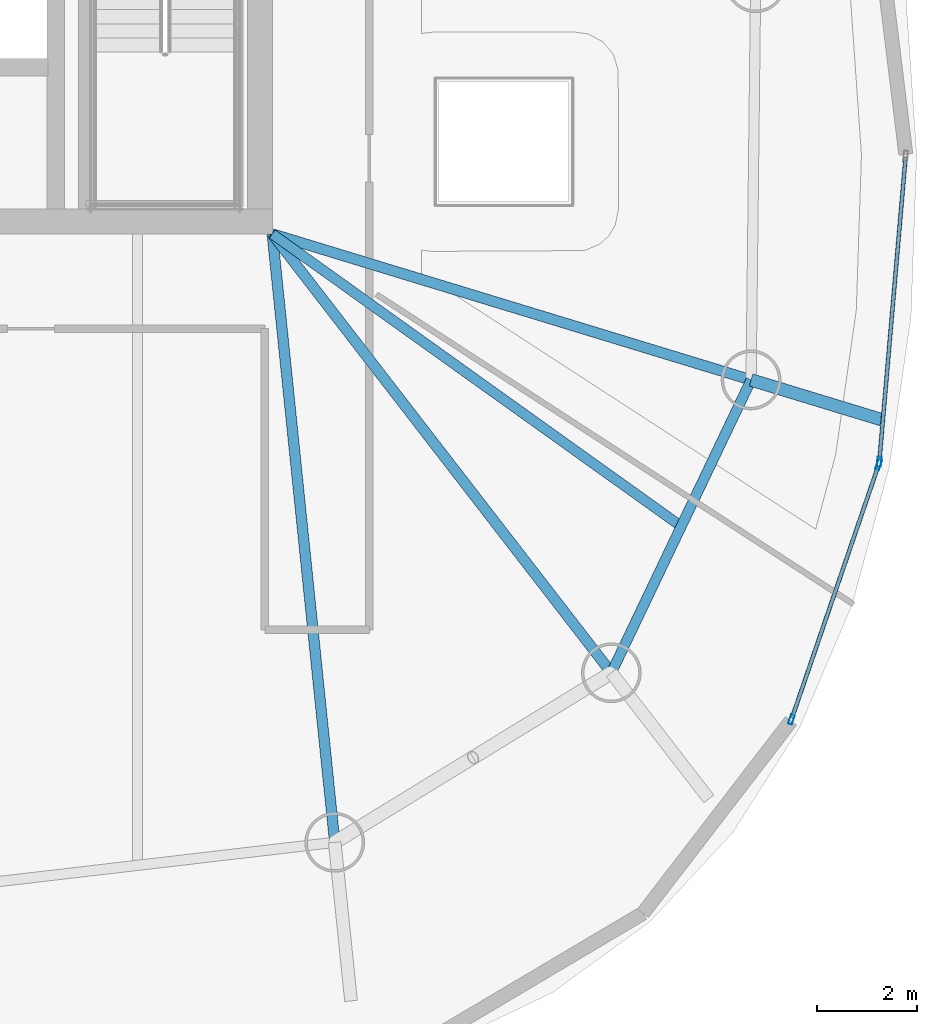
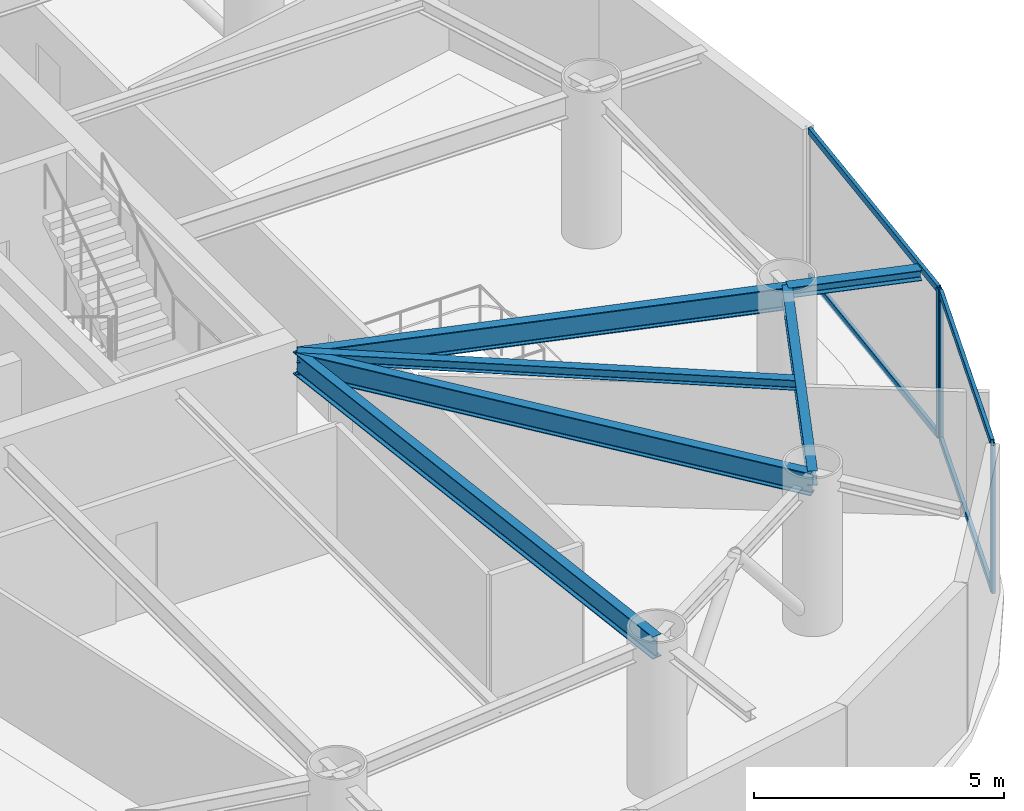
# One storey, part 8 of 22: 7 members, 6 beams, 2 elements without a shape of their own.
"""IFC4 building model written with IfcOpenShell, lengths in metres."""

from ifc_helpers import new_model, si_unit, direction, frame, origin, origin_2d, place, context, subcontext, project, spatial, hollow_rectangle, i_section, extrude, material, layer, layer_set, material_profile, profile_set, type_object, element, aggregate, save


model = new_model("IFC4")

# Units and contexts
model_context = context("Model", 3, precision=1e-05, world=origin(), true_north=direction((0.0, 1.0)))
body_context = subcontext(model_context, "Body", "Model", "MODEL_VIEW")
ifc_project = project(units=[si_unit("LENGTHUNIT", "METRE"), si_unit("AREAUNIT", "SQUARE_METRE"), si_unit("VOLUMEUNIT", "CUBIC_METRE"), si_unit("PLANEANGLEUNIT", "RADIAN"), si_unit("MASSUNIT", "GRAM", prefix="KILO")], contexts=[model_context])

# Site, building, storey
site_placement = place(None, origin())
site = spatial("IfcSite", under=ifc_project, at=site_placement, CompositionType="ELEMENT")
building_placement = place(site_placement, origin())
building = spatial("IfcBuilding", under=site, at=building_placement, Name="Bramvorn Convention Spire", CompositionType="ELEMENT")
storey_placement = place(building_placement, frame((0.0, 0.0, 225.10009765625)))
storey = spatial("IfcBuildingStorey", under=building, at=storey_placement, Name="L57", CompositionType="ELEMENT", Elevation=225.10009765625)

# Beams
ifc_material_1 = material(Name="Steel CSA G40.21 Grade 350 (350W)", Category="steel")
ifc_material_profile_1 = material_profile(ifc_material_1, i_section(OverallWidth=0.201904296875, OverallDepth=0.2470703125, WebThickness=0.00732421875, FlangeThickness=0.010986328125, FilletRadius=0.011962890625, at=origin_2d()))
ifc_profile_set_1 = profile_set([ifc_material_profile_1], Name="Steel CSA G40.21 Grade 350 (350W) - W250X49")
beam_type_1 = type_object("IfcBeamType", Name="BM-W250X49", PredefinedType="JOIST", material=ifc_profile_set_1)
beam_1_placement = place(storey_placement, frame((49.25, 18.550048828125, 3.496337890625), z_axis=(0.813471895271, -0.581604225916, 0.0), x_axis=(0.581604225916, 0.813471895271, 0.0)))
element("IfcBeam", 1, at=beam_1_placement, inside=storey, type_object=beam_type_1, Name="L57 composite floor joist 01", PredefinedType="JOIST", context=body_context, shape_type="SweptSolid", body=[
    extrude(i_section(OverallWidth=0.201904296875, OverallDepth=0.2470703125, WebThickness=0.00732421875, FlangeThickness=0.010986328125, FilletRadius=0.011962890625, at=origin_2d()), origin(), (0.0, 0.0, 1.0), 10.093505859375),
])
ifc_material_profile_2 = material_profile(ifc_material_1, i_section(OverallWidth=0.25390625, OverallDepth=0.2529296875, WebThickness=0.008544921875, FlangeThickness=0.01416015625, FilletRadius=0.011962890625, at=origin_2d()))
ifc_profile_set_2 = profile_set([ifc_material_profile_2], Name="Steel CSA G40.21 Grade 350 (350W) - W250X73")
beam_type_2 = type_object("IfcBeamType", Name="BM-W250X73", PredefinedType="BEAM", material=ifc_profile_set_2)
beam_2_placement = place(storey_placement, frame((58.863037109375, 15.619384765625, 3.493408203125), z_axis=(0.956558272084, -0.29154120139, 0.0), x_axis=(0.29154120139, 0.956558272084, 0.0)))
element("IfcBeam", 2, at=beam_2_placement, inside=storey, type_object=beam_type_2, Name="L57 slab-edge cantilever tip beam MC02", PredefinedType="BEAM", context=body_context, shape_type="SweptSolid", body=[
    extrude(i_section(OverallWidth=0.25390625, OverallDepth=0.2529296875, WebThickness=0.008544921875, FlangeThickness=0.01416015625, FilletRadius=0.011962890625, at=origin_2d()), origin(), (0.0, 0.0, 1.0), 2.73828125),
])
ifc_material_profile_3 = material_profile(ifc_material_1, i_section(OverallWidth=0.205078125, OverallDepth=0.35400390625, WebThickness=0.009521484375, FlangeThickness=0.016845703125, FilletRadius=0.014892578125, at=origin_2d()))
ifc_profile_set_3 = profile_set([ifc_material_profile_3], Name="Steel CSA G40.21 Grade 350 (350W) - W360X79")
beam_type_3 = type_object("IfcBeamType", Name="BM-W360X79", PredefinedType="JOIST", material=ifc_profile_set_3)
beam_3_placement = place(storey_placement, frame((56.058349609375, 9.739990234375, 3.44287109375), z_axis=(0.430556138422, 0.902563799223, 0.0), x_axis=(-0.902563799223, 0.430556138422, 0.0)))
element("IfcBeam", 3, at=beam_3_placement, inside=storey, type_object=beam_type_3, Name="L57 mega-column ring beam 01", PredefinedType="JOIST", context=body_context, shape_type="SweptSolid", body=[
    extrude(i_section(OverallWidth=0.205078125, OverallDepth=0.35400390625, WebThickness=0.009521484375, FlangeThickness=0.016845703125, FilletRadius=0.014892578125, at=origin_2d()), origin(), (0.0, 0.0, 1.0), 6.51416015625),
])
ifc_material_profile_4 = material_profile(ifc_material_1, i_section(OverallWidth=0.2119140625, OverallDepth=0.5439453125, WebThickness=0.01318359375, FlangeThickness=0.021240234375, FilletRadius=0.01904296875, at=origin_2d()))
ifc_profile_set_4 = profile_set([ifc_material_profile_4], Name="Steel CSA G40.21 Grade 350 (350W) - W530X123")
beam_type_4 = type_object("IfcBeamType", Name="BM-W530X123", PredefinedType="BEAM", material=ifc_profile_set_4)
beam_4_placement = place(storey_placement, frame((49.25, 18.550048828125, 3.347900390625), z_axis=(0.611479951477, -0.791259925019, 0.0), x_axis=(0.791259925019, 0.611479951477, 0.0)))
element("IfcBeam", 4, at=beam_4_placement, inside=storey, type_object=beam_type_4, Name="L57 radial floor girder MC01", PredefinedType="BEAM", context=body_context, shape_type="SweptSolid", body=[
    extrude(i_section(OverallWidth=0.2119140625, OverallDepth=0.5439453125, WebThickness=0.01318359375, FlangeThickness=0.021240234375, FilletRadius=0.01904296875, at=origin_2d()), origin(), (0.0, 0.0, 1.0), 11.13427734375),
])
beam_5_placement = place(storey_placement, frame((49.25, 18.550048828125, 3.347900390625), z_axis=(0.95653637984, -0.291613021044, 0.0), x_axis=(0.291613021044, 0.95653637984, 0.0)))
element("IfcBeam", 5, at=beam_5_placement, inside=storey, type_object=beam_type_4, Name="L57 radial floor girder MC02", PredefinedType="BEAM", context=body_context, shape_type="SweptSolid", body=[
    extrude(i_section(OverallWidth=0.2119140625, OverallDepth=0.5439453125, WebThickness=0.01318359375, FlangeThickness=0.021240234375, FilletRadius=0.01904296875, at=origin_2d()), origin(), (0.0, 0.0, 1.0), 10.0498046875),
])
beam_6_placement = place(storey_placement, frame((49.25, 18.550048828125, 3.347900390625), z_axis=(0.10216509146, -0.994767457292, 0.0), x_axis=(0.994767457292, 0.10216509146, 0.0)))
element("IfcBeam", 6, at=beam_6_placement, inside=storey, type_object=beam_type_4, Name="L57 radial floor girder MC16", PredefinedType="BEAM", context=body_context, shape_type="SweptSolid", body=[
    extrude(i_section(OverallWidth=0.2119140625, OverallDepth=0.5439453125, WebThickness=0.01318359375, FlangeThickness=0.021240234375, FilletRadius=0.01904296875, at=origin_2d()), origin(), (0.0, 0.0, 1.0), 12.278076171875),
])

# Curtain wall, members
ifc_material_2 = material(Name="Anodised Bronze Unitised Curtain Wall", Category="aluminium")
ifc_layer = layer(ifc_material_2, 0.179931640625)
ifc_layer_set = layer_set([ifc_layer], Name="Anodised Bronze Unitised Curtain Wall - CW-OFF-FRIT")
curtain_wall_type = type_object("IfcCurtainWallType", Name="CW-OFF-FRIT", PredefinedType="USERDEFINED", material=ifc_layer_set)
curtain_wall_1_placement = place(storey_placement, origin())
curtain_wall_1 = element("IfcCurtainWall", 7, at=curtain_wall_1_placement, inside=storey, type_object=curtain_wall_type, Name="L57 fritted glass curtain wall 02", ObjectType="UNITISED CURTAIN WALL", PredefinedType="USERDEFINED")
ifc_material_3 = material(Name="Anodised Bronze Aluminium 6063-T6", Category="aluminium")
ifc_material_profile_5 = material_profile(ifc_material_3, hollow_rectangle(XDim=0.080078125, YDim=0.199951171875, WallThickness=0.00390625, InnerFilletRadius=0.0009765625, OuterFilletRadius=0.00390625, at=origin_2d()))
ifc_profile_set_5 = profile_set([ifc_material_profile_5], Name="Anodised Bronze Aluminium 6063-T6 - CWM80X200")
member_type_1 = type_object("IfcMemberType", Name="CW-MUL-180", PredefinedType="MULLION", material=ifc_profile_set_5)
member_1_placement = place(storey_placement, frame((61.42529296875, 13.916748046875, 0.0), z_axis=(0.0, 0.0, 1.0), x_axis=(0.946103351921, -0.323864859908, 0.0)))
member_1 = element("IfcMember", 8, at=member_1_placement, type_object=member_type_1, Name="CW3 mullion 1", PredefinedType="MULLION", context=body_context, shape_type="SweptSolid", body=[
    extrude(hollow_rectangle(XDim=0.080078125, YDim=0.199951171875, WallThickness=0.00390625, InnerFilletRadius=0.0009765625, OuterFilletRadius=0.00390625, at=origin_2d()), origin(), (0.0, 0.0, 1.0), 3.619873046875),
])
member_2_placement = place(storey_placement, frame((59.6748046875, 8.803466796875, 0.0), z_axis=(0.0, 0.0, 1.0), x_axis=(0.946103351921, -0.323864859908, 0.0)))
member_2 = element("IfcMember", 9, at=member_2_placement, type_object=member_type_1, Name="CW3 mullion 2", PredefinedType="MULLION", context=body_context, shape_type="SweptSolid", body=[
    extrude(hollow_rectangle(XDim=0.080078125, YDim=0.199951171875, WallThickness=0.00390625, InnerFilletRadius=0.0009765625, OuterFilletRadius=0.00390625, at=origin_2d()), origin(), (0.0, 0.0, 1.0), 3.619873046875),
])

# Curtain wall, member
curtain_wall_2_placement = place(storey_placement, origin())
curtain_wall_2 = element("IfcCurtainWall", 10, at=curtain_wall_2_placement, inside=storey, type_object=curtain_wall_type, Name="L57 fritted glass curtain wall 03", ObjectType="UNITISED CURTAIN WALL", PredefinedType="USERDEFINED")
member_3_placement = place(storey_placement, frame((61.4375, 13.97509765625, 0.0), z_axis=(0.0, 0.0, 1.0), x_axis=(0.996302944191, -0.08590950702, 0.0)))
member_3 = element("IfcMember", 11, at=member_3_placement, type_object=member_type_1, Name="CW3 mullion 2", PredefinedType="MULLION", context=body_context, shape_type="SweptSolid", body=[
    extrude(hollow_rectangle(XDim=0.080078125, YDim=0.199951171875, WallThickness=0.00390625, InnerFilletRadius=0.0009765625, OuterFilletRadius=0.00390625, at=origin_2d()), origin(), (0.0, 0.0, 1.0), 3.619873046875),
])

# Member
ifc_material_profile_6 = material_profile(ifc_material_3, hollow_rectangle(XDim=0.080078125, YDim=0.159912109375, WallThickness=0.00390625, InnerFilletRadius=0.0009765625, OuterFilletRadius=0.00390625, at=origin_2d()))
ifc_profile_set_6 = profile_set([ifc_material_profile_6], Name="Anodised Bronze Aluminium 6063-T6 - CWT80X160")
member_type_2 = type_object("IfcMemberType", Name="CW-TRN-150", PredefinedType="USERDEFINED", material=ifc_profile_set_6)
member_4_placement = place(storey_placement, frame((61.41552734375, 13.888427734375, 0.02978515625), z_axis=(-0.323864159217, -0.946103591778, 0.0), x_axis=(0.946103591778, -0.323864159217, 0.0)))
member_4 = element("IfcMember", 12, at=member_4_placement, type_object=member_type_2, Name="CW3 transom 1.1", ObjectType="TRANSOM", PredefinedType="USERDEFINED", context=body_context, shape_type="SweptSolid", body=[
    extrude(hollow_rectangle(XDim=0.080078125, YDim=0.159912109375, WallThickness=0.00390625, InnerFilletRadius=0.0009765625, OuterFilletRadius=0.00390625, at=origin_2d()), origin(), (0.0, 0.0, 1.0), 5.3447265625),
])

member_5_placement = place(storey_placement, frame((61.41552734375, 13.888427734375, 3.58984375), z_axis=(-0.323864159217, -0.946103591778, 0.0), x_axis=(0.946103591778, -0.323864159217, 0.0)))
member_5 = element("IfcMember", 13, at=member_5_placement, type_object=member_type_2, Name="CW3 transom 1.2", ObjectType="TRANSOM", PredefinedType="USERDEFINED", context=body_context, shape_type="SweptSolid", body=[
    extrude(hollow_rectangle(XDim=0.080078125, YDim=0.159912109375, WallThickness=0.00390625, InnerFilletRadius=0.0009765625, OuterFilletRadius=0.00390625, at=origin_2d()), origin(), (0.0, 0.0, 1.0), 5.3447265625),
])

aggregate(curtain_wall_1, [member_1, member_2, member_4, member_5])

member_6_placement = place(storey_placement, frame((61.964599609375, 20.088623046875, 0.02978515625), z_axis=(-0.085920502007, -0.996301996051, 0.0), x_axis=(0.996301996051, -0.085920502007, 0.0)))
member_6 = element("IfcMember", 14, at=member_6_placement, type_object=member_type_2, Name="CW3 transom 1.1", ObjectType="TRANSOM", PredefinedType="USERDEFINED", context=body_context, shape_type="SweptSolid", body=[
    extrude(hollow_rectangle(XDim=0.080078125, YDim=0.159912109375, WallThickness=0.00390625, InnerFilletRadius=0.0009765625, OuterFilletRadius=0.00390625, at=origin_2d()), origin(), (0.0, 0.0, 1.0), 6.106201171875),
])

member_7_placement = place(storey_placement, frame((61.964599609375, 20.088623046875, 3.58984375), z_axis=(-0.085920502007, -0.996301996051, 0.0), x_axis=(0.996301996051, -0.085920502007, 0.0)))
member_7 = element("IfcMember", 15, at=member_7_placement, type_object=member_type_2, Name="CW3 transom 1.2", ObjectType="TRANSOM", PredefinedType="USERDEFINED", context=body_context, shape_type="SweptSolid", body=[
    extrude(hollow_rectangle(XDim=0.080078125, YDim=0.159912109375, WallThickness=0.00390625, InnerFilletRadius=0.0009765625, OuterFilletRadius=0.00390625, at=origin_2d()), origin(), (0.0, 0.0, 1.0), 6.106201171875),
])

aggregate(curtain_wall_2, [member_3, member_6, member_7])

save(model, "model.ifc")
